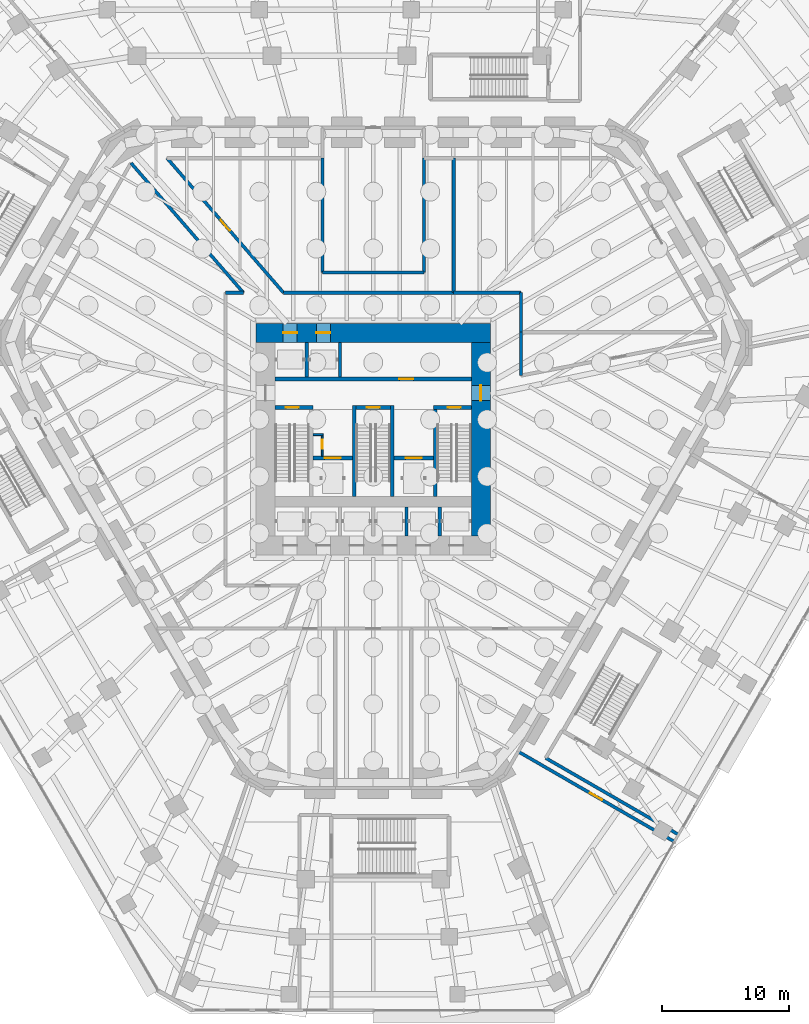
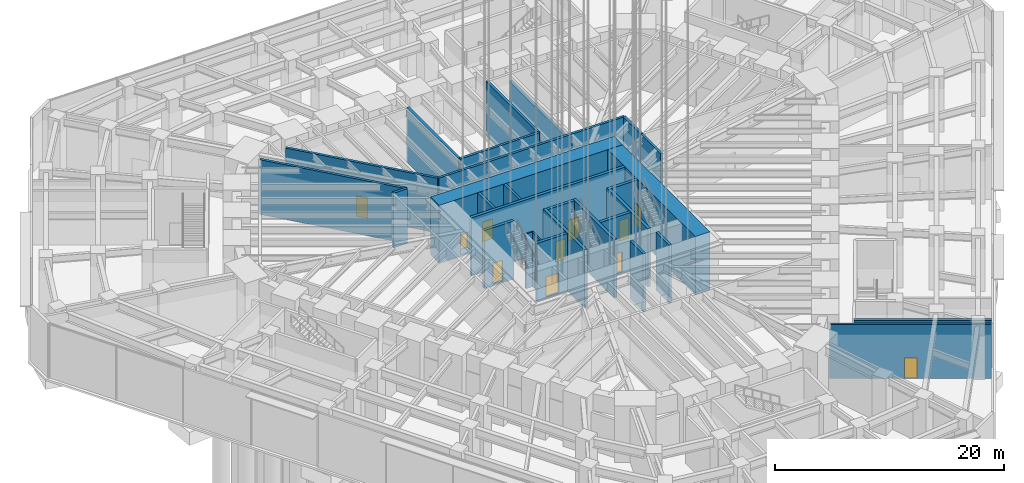
# One storey, part 20 of 34: 30 walls, 12 doors, 12 openings.
"""IFC4 building model written with IfcOpenShell, lengths in metres."""

from ifc_helpers import new_model, si_unit, direction, frame, frame_2d, origin, place, context, subcontext, project, spatial, rectangle, extrude, material, layer, layer_set, type_object, element, fill, save


model = new_model("IFC4")

# Units and contexts
model_context = context("Model", 3, precision=1e-05, world=origin(), true_north=direction((0.0, 1.0)))
body_context = subcontext(model_context, "Body", "Model", "MODEL_VIEW")
ifc_project = project(units=[si_unit("LENGTHUNIT", "METRE"), si_unit("AREAUNIT", "SQUARE_METRE"), si_unit("VOLUMEUNIT", "CUBIC_METRE"), si_unit("PLANEANGLEUNIT", "RADIAN"), si_unit("MASSUNIT", "GRAM", prefix="KILO")], contexts=[model_context])

# Site, building, storey
site_placement = place(None, origin())
site = spatial("IfcSite", under=ifc_project, at=site_placement, CompositionType="ELEMENT")
building_placement = place(site_placement, origin())
building = spatial("IfcBuilding", under=site, at=building_placement, Name="Sandreach Pilgrim Tower", CompositionType="ELEMENT")
storey_placement = place(building_placement, origin())
storey = spatial("IfcBuildingStorey", under=building, at=storey_placement, Name="L00", CompositionType="ELEMENT", Elevation=0.0)

# Walls
ifc_material_1 = material(Name="Concrete 10000 psi", Category="concrete")
ifc_layer_1 = layer(ifc_material_1, 0.300048828125)
ifc_layer_set_1 = layer_set([ifc_layer_1], Name="Core inner wall 300")
wall_type_1 = type_object("IfcWallType", Name="Core inner wall 300", PredefinedType="SHEAR", material=ifc_layer_set_1)
for number, where, z_axis, x_axis, name in (
    (1, (-1.5, -6.10009765625, -0.199951171875), (0.0, 0.0, 1.0), (0.0, 1.0, 0.0), "Core wall I1 L00"),
    (2, (1.5, -6.10009765625, -0.199951171875), (0.0, 0.0, 1.0), (0.0, 1.0, 0.0), "Core wall I2 L00"),
    (3, (4.89990234375, -6.10009765625, -0.199951171875), (0.0, 0.0, 1.0), (0.0, 1.0, 0.0), "Core wall I3 L00"),
):
    element("IfcWall", number, at=place(storey_placement, frame(where, z_axis=z_axis, x_axis=x_axis)), inside=storey, type_object=wall_type_1, Name=name, PredefinedType="SHEAR", context=body_context, shape_type="SweptSolid", body=[
        extrude(rectangle(XDim=7.2001953125, YDim=0.300048828125, at=frame_2d((3.60009765625, 0.0))), origin(), (0.0, 0.0, 1.0), 6.199951171875),
    ])

# Wall, opening, door
wall_1_placement = place(storey_placement, frame((-7.75, 0.949951171875, -0.199951171875), z_axis=(0.0, 0.0, 1.0), x_axis=(1.0, 0.0, 0.0)))
wall_1 = element("IfcWall", 4, at=wall_1_placement, inside=storey, type_object=wall_type_1, Name="Core wall SN1 L00", PredefinedType="SHEAR", context=body_context, shape_type="SweptSolid", body=[
    extrude(rectangle(XDim=3.0, YDim=0.300048828125, at=frame_2d((1.5, 0.0))), origin(), (0.0, 0.0, 1.0), 6.199951171875),
])
opening_1_placement = place(wall_1_placement, frame((0.85009765625, 0.0, 0.199951171875)))
opening_1 = element("IfcOpeningElement", 5, at=opening_1_placement, cuts=wall_1, Name="Opening D10S-ST1", PredefinedType="OPENING", context=body_context, shape_type="SweptSolid", body=[
    extrude(rectangle(XDim=1.0, YDim=2.199951171875, at=frame_2d((0.5, 1.10009765625))), frame((0.0, 0.14990234375, 0.0), z_axis=(0.0, -1.0, 0.0), x_axis=(1.0, 0.0, 0.0)), (0.0, 0.0, 1.0), 0.300048828125),
])
ifc_material_2 = material(Name="Steel door and frame", Category="steel")
door_type_1 = type_object("IfcDoorType", Name="Stair door", OperationType="SINGLE_SWING_LEFT", PredefinedType="DOOR", material=ifc_material_2)
door_1_placement = place(opening_1_placement, origin())
door_1 = element("IfcDoor", 6, at=door_1_placement, inside=storey, type_object=door_type_1, Name="Stair door ST1 L00", OperationType="SINGLE_SWING_LEFT", OverallHeight=2.199951171875, OverallWidth=1.0, PredefinedType="DOOR", context=body_context, shape_type="SweptSolid", body=[
    extrude(rectangle(XDim=1.0, YDim=2.199951171875, at=frame_2d((0.5, 1.10009765625))), frame((0.0, 0.02490234375, 0.0), z_axis=(0.0, -1.0, 0.0), x_axis=(1.0, 0.0, 0.0)), (0.0, 0.0, 1.0), 0.050048828125),
])
fill(opening_1, door_1)

wall_2_placement = place(storey_placement, frame((-1.35009765625, 0.949951171875, -0.199951171875), z_axis=(0.0, 0.0, 1.0), x_axis=(1.0, 0.0, 0.0)))
wall_2 = element("IfcWall", 7, at=wall_2_placement, inside=storey, type_object=wall_type_1, Name="Core wall SN3 L00", PredefinedType="SHEAR", context=body_context, shape_type="SweptSolid", body=[
    extrude(rectangle(XDim=2.7001953125, YDim=0.300048828125, at=frame_2d((1.35009765625, 0.0))), origin(), (0.0, 0.0, 1.0), 6.199951171875),
])
opening_2_placement = place(wall_2_placement, frame((0.85009765625, 0.0, 0.199951171875)))
opening_2 = element("IfcOpeningElement", 8, at=opening_2_placement, cuts=wall_2, Name="Opening D10S-ST3", PredefinedType="OPENING", context=body_context, shape_type="SweptSolid", body=[
    extrude(rectangle(XDim=1.0, YDim=2.199951171875, at=frame_2d((0.5, 1.10009765625))), frame((0.0, 0.14990234375, 0.0), z_axis=(0.0, -1.0, 0.0), x_axis=(1.0, 0.0, 0.0)), (0.0, 0.0, 1.0), 0.300048828125),
])
door_2_placement = place(opening_2_placement, origin())
door_2 = element("IfcDoor", 9, at=door_2_placement, inside=storey, type_object=door_type_1, Name="Stair door ST3 L00", OperationType="SINGLE_SWING_LEFT", OverallHeight=2.199951171875, OverallWidth=1.0, PredefinedType="DOOR", context=body_context, shape_type="SweptSolid", body=[
    extrude(rectangle(XDim=1.0, YDim=2.199951171875, at=frame_2d((0.5, 1.10009765625))), frame((0.0, 0.02490234375, 0.0), z_axis=(0.0, -1.0, 0.0), x_axis=(1.0, 0.0, 0.0)), (0.0, 0.0, 1.0), 0.050048828125),
])
fill(opening_2, door_2)

wall_3_placement = place(storey_placement, frame((4.75, 0.949951171875, -0.199951171875), z_axis=(0.0, 0.0, 1.0), x_axis=(1.0, 0.0, 0.0)))
wall_3 = element("IfcWall", 10, at=wall_3_placement, inside=storey, type_object=wall_type_1, Name="Core wall SN2 L00", PredefinedType="SHEAR", context=body_context, shape_type="SweptSolid", body=[
    extrude(rectangle(XDim=3.0, YDim=0.300048828125, at=frame_2d((1.5, 0.0))), origin(), (0.0, 0.0, 1.0), 6.199951171875),
])
opening_3_placement = place(wall_3_placement, frame((1.14990234375, 0.0, 0.199951171875)))
opening_3 = element("IfcOpeningElement", 11, at=opening_3_placement, cuts=wall_3, Name="Opening D10S-ST2", PredefinedType="OPENING", context=body_context, shape_type="SweptSolid", body=[
    extrude(rectangle(XDim=1.0, YDim=2.199951171875, at=frame_2d((0.5, 1.10009765625))), frame((0.0, 0.14990234375, 0.0), z_axis=(0.0, -1.0, 0.0), x_axis=(1.0, 0.0, 0.0)), (0.0, 0.0, 1.0), 0.300048828125),
])
door_3_placement = place(opening_3_placement, origin())
door_3 = element("IfcDoor", 12, at=door_3_placement, inside=storey, type_object=door_type_1, Name="Stair door ST2 L00", OperationType="SINGLE_SWING_RIGHT", OverallHeight=2.199951171875, OverallWidth=1.0, PredefinedType="DOOR", context=body_context, shape_type="SweptSolid", body=[
    extrude(rectangle(XDim=1.0, YDim=2.199951171875, at=frame_2d((0.5, 1.10009765625))), frame((0.0, 0.02490234375, 0.0), z_axis=(0.0, -1.0, 0.0), x_axis=(1.0, 0.0, 0.0)), (0.0, 0.0, 1.0), 0.050048828125),
])
fill(opening_3, door_3)

wall_4_placement = place(storey_placement, frame((-4.75, -3.050048828125, -0.199951171875), z_axis=(0.0, 0.0, 1.0), x_axis=(1.0, 0.0, 0.0)))
wall_4 = element("IfcWall", 13, at=wall_4_placement, inside=storey, type_object=wall_type_1, Name="Core wall FL1 L00", PredefinedType="SHEAR", context=body_context, shape_type="SweptSolid", body=[
    extrude(rectangle(XDim=3.10009765625, YDim=0.300048828125, at=frame_2d((1.550048828125, 0.0))), origin(), (0.0, 0.0, 1.0), 6.199951171875),
])
opening_4_placement = place(wall_4_placement, frame((0.89990234375, 0.0, 0.199951171875)))
opening_4 = element("IfcOpeningElement", 14, at=opening_4_placement, cuts=wall_4, Name="Opening LD13", PredefinedType="OPENING", context=body_context, shape_type="SweptSolid", body=[
    extrude(rectangle(XDim=1.300048828125, YDim=2.10009765625, at=frame_2d((0.64990234375, 1.050048828125))), frame((0.0, 0.14990234375, 0.0), z_axis=(0.0, -1.0, 0.0), x_axis=(1.0, 0.0, 0.0)), (0.0, 0.0, 1.0), 0.300048828125),
])
ifc_material_3 = material(Name="Steel door and frame", Category="steel")
door_type_2 = type_object("IfcDoorType", Name="Fire service lift landing door", OperationType="DOUBLE_DOOR_SLIDING", PredefinedType="DOOR", material=ifc_material_3)
door_4_placement = place(opening_4_placement, origin())
door_4 = element("IfcDoor", 15, at=door_4_placement, inside=storey, type_object=door_type_2, Name="Lift landing door FS1 L00", OperationType="DOUBLE_DOOR_SLIDING", OverallHeight=2.10009765625, OverallWidth=1.300048828125, PredefinedType="DOOR", context=body_context, shape_type="SweptSolid", body=[
    extrude(rectangle(XDim=1.300048828125, YDim=2.10009765625, at=frame_2d((0.64990234375, 1.050048828125))), frame((0.0, 0.02490234375, 0.0), z_axis=(0.0, -1.0, 0.0), x_axis=(1.0, 0.0, 0.0)), (0.0, 0.0, 1.0), 0.050048828125),
])
fill(opening_4, door_4)

wall_5_placement = place(storey_placement, frame((1.64990234375, -3.050048828125, -0.199951171875), z_axis=(0.0, 0.0, 1.0), x_axis=(1.0, 0.0, 0.0)))
wall_5 = element("IfcWall", 16, at=wall_5_placement, inside=storey, type_object=wall_type_1, Name="Core wall FL2 L00", PredefinedType="SHEAR", context=body_context, shape_type="SweptSolid", body=[
    extrude(rectangle(XDim=3.10009765625, YDim=0.300048828125, at=frame_2d((1.550048828125, 0.0))), origin(), (0.0, 0.0, 1.0), 6.199951171875),
])
opening_5_placement = place(wall_5_placement, frame((0.89990234375, 0.0, 0.199951171875)))
opening_5 = element("IfcOpeningElement", 17, at=opening_5_placement, cuts=wall_5, Name="Opening LD13", PredefinedType="OPENING", context=body_context, shape_type="SweptSolid", body=[
    extrude(rectangle(XDim=1.300048828125, YDim=2.10009765625, at=frame_2d((0.64990234375, 1.050048828125))), frame((0.0, 0.14990234375, 0.0), z_axis=(0.0, -1.0, 0.0), x_axis=(1.0, 0.0, 0.0)), (0.0, 0.0, 1.0), 0.300048828125),
])
door_5_placement = place(opening_5_placement, origin())
door_5 = element("IfcDoor", 18, at=door_5_placement, inside=storey, type_object=door_type_2, Name="Lift landing door FS2 L00", OperationType="DOUBLE_DOOR_SLIDING", OverallHeight=2.10009765625, OverallWidth=1.300048828125, PredefinedType="DOOR", context=body_context, shape_type="SweptSolid", body=[
    extrude(rectangle(XDim=1.300048828125, YDim=2.10009765625, at=frame_2d((0.64990234375, 1.050048828125))), frame((0.0, 0.02490234375, 0.0), z_axis=(0.0, -1.0, 0.0), x_axis=(1.0, 0.0, 0.0)), (0.0, 0.0, 1.0), 0.050048828125),
])
fill(opening_5, door_5)

wall_6_placement = place(storey_placement, frame((-7.75, 3.199951171875, -0.199951171875), z_axis=(0.0, 0.0, 1.0), x_axis=(1.0, 0.0, 0.0)))
wall_6 = element("IfcWall", 19, at=wall_6_placement, inside=storey, type_object=wall_type_1, Name="Core wall PN L00", PredefinedType="SHEAR", context=body_context, shape_type="SweptSolid", body=[
    extrude(rectangle(XDim=15.5, YDim=0.300048828125, at=frame_2d((7.75, 0.0))), origin(), (0.0, 0.0, 1.0), 6.199951171875),
])
opening_6_placement = place(wall_6_placement, frame((9.824951171875, 0.0, 0.199951171875)))
opening_6 = element("IfcOpeningElement", 20, at=opening_6_placement, cuts=wall_6, Name="Opening D11L", PredefinedType="OPENING", context=body_context, shape_type="SweptSolid", body=[
    extrude(rectangle(XDim=1.10009765625, YDim=2.199951171875, at=frame_2d((0.550048828125, 1.10009765625))), frame((0.0, 0.14990234375, 0.0), z_axis=(0.0, -1.0, 0.0), x_axis=(1.0, 0.0, 0.0)), (0.0, 0.0, 1.0), 0.300048828125),
])
ifc_material_4 = material(Name="Steel door and frame, smoke seals", Category="steel")
door_type_3 = type_object("IfcDoorType", Name="Core room door", OperationType="SINGLE_SWING_LEFT", PredefinedType="DOOR", material=ifc_material_4)
door_6_placement = place(opening_6_placement, origin())
door_6 = element("IfcDoor", 21, at=door_6_placement, inside=storey, type_object=door_type_3, Name="Door back of house store 00K1", OperationType="SINGLE_SWING_RIGHT", OverallHeight=2.199951171875, OverallWidth=1.10009765625, PredefinedType="DOOR", context=body_context, shape_type="SweptSolid", body=[
    extrude(rectangle(XDim=1.10009765625, YDim=2.199951171875, at=frame_2d((0.550048828125, 1.10009765625))), frame((0.0, 0.02490234375, 0.0), z_axis=(0.0, -1.0, 0.0), x_axis=(1.0, 0.0, 0.0)), (0.0, 0.0, 1.0), 0.050048828125),
])
fill(opening_6, door_6)

# Wall, openings, doors
ifc_material_5 = material(Name="Concrete 10000 psi", Category="concrete")
ifc_layer_2 = layer(ifc_material_5, 1.5)
ifc_layer_set_2 = layer_set([ifc_layer_2], Name="Core wall 1500")
wall_type_2 = type_object("IfcWallType", Name="Core wall 1500", PredefinedType="SHEAR", material=ifc_layer_set_2)
wall_7_placement = place(storey_placement, frame((-9.25, 6.85009765625, -0.199951171875), z_axis=(0.0, 0.0, 1.0), x_axis=(1.0, 0.0, 0.0)))
wall_7 = element("IfcWall", 22, at=wall_7_placement, inside=storey, type_object=wall_type_2, Name="Core wall N L00", PredefinedType="SHEAR", context=body_context, shape_type="SweptSolid", body=[
    extrude(rectangle(XDim=18.5, YDim=1.5, at=frame_2d((9.25, 0.0))), origin(), (0.0, 0.0, 1.0), 6.199951171875),
])
opening_7_placement = place(wall_7_placement, frame((2.137451171875, 0.0, 0.199951171875)))
opening_7 = element("IfcOpeningElement", 23, at=opening_7_placement, cuts=wall_7, Name="Opening LD11", PredefinedType="OPENING", context=body_context, shape_type="SweptSolid", body=[
    extrude(rectangle(XDim=1.10009765625, YDim=2.10009765625, at=frame_2d((0.550048828125, 1.050048828125))), frame((0.0, 0.75, 0.0), z_axis=(0.0, -1.0, 0.0), x_axis=(1.0, 0.0, 0.0)), (0.0, 0.0, 1.0), 1.5),
])
opening_8_placement = place(wall_7_placement, frame((4.762451171875, 0.0, 0.199951171875)))
opening_8 = element("IfcOpeningElement", 24, at=opening_8_placement, cuts=wall_7, Name="Opening LD11", PredefinedType="OPENING", context=body_context, shape_type="SweptSolid", body=[
    extrude(rectangle(XDim=1.10009765625, YDim=2.10009765625, at=frame_2d((0.550048828125, 1.050048828125))), frame((0.0, 0.75, 0.0), z_axis=(0.0, -1.0, 0.0), x_axis=(1.0, 0.0, 0.0)), (0.0, 0.0, 1.0), 1.5),
])
ifc_material_6 = material(Name="Steel door and frame", Category="steel")
door_type_4 = type_object("IfcDoorType", Name="Lift landing door", OperationType="DOUBLE_DOOR_SLIDING", PredefinedType="DOOR", material=ifc_material_6)
door_7_placement = place(opening_7_placement, origin())
door_7 = element("IfcDoor", 25, at=door_7_placement, inside=storey, type_object=door_type_4, Name="Lift landing door SH1 L00", OperationType="DOUBLE_DOOR_SLIDING", OverallHeight=2.10009765625, OverallWidth=1.10009765625, PredefinedType="DOOR", context=body_context, shape_type="SweptSolid", body=[
    extrude(rectangle(XDim=1.10009765625, YDim=2.10009765625, at=frame_2d((0.550048828125, 1.050048828125))), frame((0.0, 0.02490234375, 0.0), z_axis=(0.0, -1.0, 0.0), x_axis=(1.0, 0.0, 0.0)), (0.0, 0.0, 1.0), 0.050048828125),
])
fill(opening_7, door_7)
door_8_placement = place(opening_8_placement, origin())
door_8 = element("IfcDoor", 26, at=door_8_placement, inside=storey, type_object=door_type_4, Name="Lift landing door SH2 L00", OperationType="DOUBLE_DOOR_SLIDING", OverallHeight=2.10009765625, OverallWidth=1.10009765625, PredefinedType="DOOR", context=body_context, shape_type="SweptSolid", body=[
    extrude(rectangle(XDim=1.10009765625, YDim=2.10009765625, at=frame_2d((0.550048828125, 1.050048828125))), frame((0.0, 0.02490234375, 0.0), z_axis=(0.0, -1.0, 0.0), x_axis=(1.0, 0.0, 0.0)), (0.0, 0.0, 1.0), 0.050048828125),
])
fill(opening_8, door_8)

# Wall, opening, door
wall_8_placement = place(storey_placement, frame((8.5, -9.199951171875, -0.199951171875), z_axis=(0.0, 0.0, 1.0), x_axis=(0.0, 1.0, 0.0)))
wall_8 = element("IfcWall", 27, at=wall_8_placement, inside=storey, type_object=wall_type_2, Name="Core wall E L00", PredefinedType="SHEAR", context=body_context, shape_type="SweptSolid", body=[
    extrude(rectangle(XDim=15.300048828125, YDim=1.5, at=frame_2d((7.64990234375, 0.0))), origin(), (0.0, 0.0, 1.0), 6.199951171875),
])
opening_9_placement = place(wall_8_placement, frame((10.699951171875, 0.0, 0.199951171875)))
opening_9 = element("IfcOpeningElement", 28, at=opening_9_placement, cuts=wall_8, Name="Opening D12F-E", PredefinedType="OPENING", context=body_context, shape_type="SweptSolid", body=[
    extrude(rectangle(XDim=1.199951171875, YDim=2.199951171875, at=frame_2d((0.60009765625, 1.10009765625))), frame((0.0, 0.75, 0.0), z_axis=(0.0, -1.0, 0.0), x_axis=(1.0, 0.0, 0.0)), (0.0, 0.0, 1.0), 1.5),
])
ifc_material_7 = material(Name="Steel door and frame", Category="steel")
door_type_5 = type_object("IfcDoorType", Name="Fire lobby door", OperationType="SINGLE_SWING_LEFT", PredefinedType="DOOR", material=ifc_material_7)
door_9_placement = place(opening_9_placement, origin())
door_9 = element("IfcDoor", 29, at=door_9_placement, inside=storey, type_object=door_type_5, Name="Fire service lobby door E L00", OperationType="SINGLE_SWING_RIGHT", OverallHeight=2.199951171875, OverallWidth=1.199951171875, PredefinedType="DOOR", context=body_context, shape_type="SweptSolid", body=[
    extrude(rectangle(XDim=1.199951171875, YDim=2.199951171875, at=frame_2d((0.60009765625, 1.10009765625))), frame((0.0, 0.02490234375, 0.0), z_axis=(0.0, -1.0, 0.0), x_axis=(1.0, 0.0, 0.0)), (0.0, 0.0, 1.0), 0.050048828125),
])
fill(opening_9, door_9)

# Walls
ifc_material_8 = material(Name="Acoustic gypsum board wall, double frame", Category="gypsum")
ifc_layer_3 = layer(ifc_material_8, 0.25)
ifc_layer_set_3 = layer_set([ifc_layer_3], Name="Hall partition 250")
wall_type_3 = type_object("IfcWallType", Name="Hall partition 250", PredefinedType="PARTITIONING", material=ifc_layer_set_3)
wall_9_placement = place(storey_placement, frame((-19.139892578125, 20.27001953125, 0.0), z_axis=(0.0, 0.0, 1.0), x_axis=(0.654785227324, -0.755814994611, 0.0)))
element("IfcWall", 30, at=wall_9_placement, inside=storey, type_object=wall_type_3, Name="Hall partition L00-020", PredefinedType="PARTITIONING", context=body_context, shape_type="SweptSolid", body=[
    extrude(rectangle(XDim=13.5615234375, YDim=0.25, at=frame_2d((6.78076171875, 0.0))), origin(), (0.0, 0.0, 1.0), 5.840087890625),
])
wall_10_placement = place(storey_placement, frame((-10.260009765625, 10.02001953125, 0.0), z_axis=(0.0, 0.0, 1.0), x_axis=(-1.0, 0.0, 0.0)))
element("IfcWall", 31, at=wall_10_placement, inside=storey, type_object=wall_type_3, Name="Hall partition L00-031", PredefinedType="PARTITIONING", context=body_context, shape_type="SweptSolid", body=[
    extrude(rectangle(XDim=1.409912109375, YDim=0.25, at=frame_2d((0.705078125, 0.0))), origin(), (0.0, 0.0, 1.0), 5.840087890625),
])

# Wall, opening, door
wall_11_placement = place(storey_placement, frame((-7.090087890625, 10.02001953125, 0.0), z_axis=(0.0, 0.0, 1.0), x_axis=(-0.654417990957, 0.756132986393, 0.0)))
wall_11 = element("IfcWall", 32, at=wall_11_placement, inside=storey, type_object=wall_type_3, Name="Hall partition L00-034", PredefinedType="PARTITIONING", context=body_context, shape_type="SweptSolid", body=[
    extrude(rectangle(XDim=14.05810546875, YDim=0.25, at=frame_2d((7.029052734375, 0.0))), origin(), (0.0, 0.0, 1.0), 5.840087890625),
])
opening_10_placement = place(wall_11_placement, frame((6.479248046875, 0.0, 0.0)))
opening_10 = element("IfcOpeningElement", 33, at=opening_10_placement, cuts=wall_11, Name="Opening D11H-N5", PredefinedType="OPENING", context=body_context, shape_type="SweptSolid", body=[
    extrude(rectangle(XDim=1.10009765625, YDim=2.199951171875, at=frame_2d((0.550048828125, 1.10009765625))), frame((0.0, 0.125, 0.0), z_axis=(0.0, -1.0, 0.0), x_axis=(1.0, 0.0, 0.0)), (0.0, 0.0, 1.0), 0.25),
])
ifc_material_9 = material(Name="Steel door and frame", Category="steel")
door_type_6 = type_object("IfcDoorType", Name="Back of house door", OperationType="SINGLE_SWING_LEFT", PredefinedType="DOOR", material=ifc_material_9)
door_10_placement = place(opening_10_placement, origin())
door_10 = element("IfcDoor", 34, at=door_10_placement, inside=storey, type_object=door_type_6, Name="Door 00N5", OperationType="SINGLE_SWING_LEFT", OverallHeight=2.199951171875, OverallWidth=1.10009765625, PredefinedType="DOOR", context=body_context, shape_type="SweptSolid", body=[
    extrude(rectangle(XDim=1.10009765625, YDim=2.199951171875, at=frame_2d((0.550048828125, 1.10009765625))), frame((0.0, 0.02490234375, 0.0), z_axis=(0.0, -1.0, 0.0), x_axis=(1.0, 0.0, 0.0)), (0.0, 0.0, 1.0), 0.050048828125),
])
fill(opening_10, door_10)

# Walls
wall_12_placement = place(storey_placement, frame((-4.0, 11.6201171875, 0.0), z_axis=(0.0, 0.0, 1.0), x_axis=(0.0, 1.0, 0.0)))
element("IfcWall", 35, at=wall_12_placement, inside=storey, type_object=wall_type_3, Name="Hall partition L00-038", PredefinedType="PARTITIONING", context=body_context, shape_type="SweptSolid", body=[
    extrude(rectangle(XDim=9.02978515625, YDim=0.25, at=frame_2d((4.514892578125, 0.0))), origin(), (0.0, 0.0, 1.0), 5.840087890625),
])
wall_13_placement = place(storey_placement, frame((4.0, 11.6201171875, 0.0), z_axis=(0.0, 0.0, 1.0), x_axis=(-1.0, 0.0, 0.0)))
element("IfcWall", 36, at=wall_13_placement, inside=storey, type_object=wall_type_3, Name="Hall partition L00-049", PredefinedType="PARTITIONING", context=body_context, shape_type="SweptSolid", body=[
    extrude(rectangle(XDim=8.0, YDim=0.25, at=frame_2d((4.0, 0.0))), origin(), (0.0, 0.0, 1.0), 5.840087890625),
])
wall_14_placement = place(storey_placement, frame((4.0, 20.64990234375, 0.0), z_axis=(0.0, 0.0, 1.0), x_axis=(0.0, -1.0, 0.0)))
element("IfcWall", 37, at=wall_14_placement, inside=storey, type_object=wall_type_3, Name="Hall partition L00-050", PredefinedType="PARTITIONING", context=body_context, shape_type="SweptSolid", body=[
    extrude(rectangle(XDim=9.02978515625, YDim=0.25, at=frame_2d((4.514892578125, 0.0))), origin(), (0.0, 0.0, 1.0), 5.840087890625),
])
wall_15_placement = place(storey_placement, frame((6.360107421875, 10.02001953125, 0.0), z_axis=(0.0, 0.0, 1.0), x_axis=(-1.0, 0.0, 0.0)))
element("IfcWall", 38, at=wall_15_placement, inside=storey, type_object=wall_type_3, Name="Hall partition L00-054", PredefinedType="PARTITIONING", context=body_context, shape_type="SweptSolid", body=[
    extrude(rectangle(XDim=13.4501953125, YDim=0.25, at=frame_2d((6.72509765625, 0.0))), origin(), (0.0, 0.0, 1.0), 5.840087890625),
])
wall_16_placement = place(storey_placement, frame((6.360107421875, 10.02001953125, 0.0), z_axis=(0.0, 0.0, 1.0), x_axis=(0.0, 1.0, 0.0)))
element("IfcWall", 39, at=wall_16_placement, inside=storey, type_object=wall_type_3, Name="Hall partition L00-055", PredefinedType="PARTITIONING", context=body_context, shape_type="SweptSolid", body=[
    extrude(rectangle(XDim=10.6298828125, YDim=0.25, at=frame_2d((5.31494140625, 0.0))), origin(), (0.0, 0.0, 1.0), 5.077880859375),
])
wall_17_placement = place(storey_placement, frame((11.669921875, 3.469970703125, 0.0), z_axis=(0.0, 0.0, 1.0), x_axis=(0.0, 1.0, 0.0)))
element("IfcWall", 40, at=wall_17_placement, inside=storey, type_object=wall_type_3, Name="Hall partition L00-062", PredefinedType="PARTITIONING", context=body_context, shape_type="SweptSolid", body=[
    extrude(rectangle(XDim=3.429931640625, YDim=0.25, at=frame_2d((1.71484375, 0.0))), origin(), (0.0, 0.0, 1.0), 5.840087890625),
])
wall_18_placement = place(storey_placement, frame((11.669921875, 6.89990234375, 0.0), z_axis=(0.0, 0.0, 1.0), x_axis=(0.0, 1.0, 0.0)))
element("IfcWall", 41, at=wall_18_placement, inside=storey, type_object=wall_type_3, Name="Hall partition L00-063", PredefinedType="PARTITIONING", context=body_context, shape_type="SweptSolid", body=[
    extrude(rectangle(XDim=3.1201171875, YDim=0.25, at=frame_2d((1.56005859375, 0.0))), origin(), (0.0, 0.0, 1.0), 5.840087890625),
])
wall_19_placement = place(storey_placement, frame((11.669921875, 10.02001953125, 0.0), z_axis=(0.0, 0.0, 1.0), x_axis=(-1.0, 0.0, 0.0)))
element("IfcWall", 42, at=wall_19_placement, inside=storey, type_object=wall_type_3, Name="Hall partition L00-064", PredefinedType="PARTITIONING", context=body_context, shape_type="SweptSolid", body=[
    extrude(rectangle(XDim=5.309814453125, YDim=0.25, at=frame_2d((2.65478515625, 0.0))), origin(), (0.0, 0.0, 1.0), 5.840087890625),
])
wall_20_placement = place(storey_placement, frame((13.6298828125, -26.75, 0.0), z_axis=(0.0, 0.0, 1.0), x_axis=(0.866259937365, -0.49959355572, 0.0)))
element("IfcWall", 43, at=wall_20_placement, inside=storey, type_object=wall_type_3, Name="Hall partition L00-066", PredefinedType="PARTITIONING", context=body_context, shape_type="SweptSolid", body=[
    extrude(rectangle(XDim=12.07958984375, YDim=0.25, at=frame_2d((6.039794921875, 0.0))), origin(), (0.0, 0.0, 1.0), 5.75),
])

# Wall, opening, door
wall_21_placement = place(storey_placement, frame((23.763916015625, -33.344970703125, 0.0), z_axis=(0.0, 0.0, 1.0), x_axis=(-0.865986126124, 0.500068024733, 0.0)))
wall_21 = element("IfcWall", 44, at=wall_21_placement, inside=storey, type_object=wall_type_3, Name="Hall partition L00-077", PredefinedType="PARTITIONING", context=body_context, shape_type="SweptSolid", body=[
    extrude(rectangle(XDim=14.2080078125, YDim=0.25, at=frame_2d((7.10400390625, 0.0))), origin(), (0.0, 0.0, 1.0), 5.75),
])
opening_11_placement = place(wall_21_placement, frame((6.553955078125, 0.0, 0.0)))
opening_11 = element("IfcOpeningElement", 45, at=opening_11_placement, cuts=wall_21, Name="Opening D11H-N3", PredefinedType="OPENING", context=body_context, shape_type="SweptSolid", body=[
    extrude(rectangle(XDim=1.10009765625, YDim=2.199951171875, at=frame_2d((0.550048828125, 1.10009765625))), frame((0.0, 0.125, 0.0), z_axis=(0.0, -1.0, 0.0), x_axis=(1.0, 0.0, 0.0)), (0.0, 0.0, 1.0), 0.25),
])
door_11_placement = place(opening_11_placement, origin())
door_11 = element("IfcDoor", 46, at=door_11_placement, inside=storey, type_object=door_type_6, Name="Door 00N3", OperationType="SINGLE_SWING_LEFT", OverallHeight=2.199951171875, OverallWidth=1.10009765625, PredefinedType="DOOR", context=body_context, shape_type="SweptSolid", body=[
    extrude(rectangle(XDim=1.10009765625, YDim=2.199951171875, at=frame_2d((0.550048828125, 1.10009765625))), frame((0.0, 0.02490234375, 0.0), z_axis=(0.0, -1.0, 0.0), x_axis=(1.0, 0.0, 0.0)), (0.0, 0.0, 1.0), 0.050048828125),
])
fill(opening_11, door_11)

ifc_material_10 = material(Name="Gypsum shaft wall on steel studs, shaft liner board", Category="steel")
ifc_layer_4 = layer(ifc_material_10, 0.14990234375)
ifc_layer_set_4 = layer_set([ifc_layer_4], Name="Riser shaft wall 150")
wall_type_4 = type_object("IfcWallType", Name="Riser shaft wall 150", PredefinedType="PARTITIONING", material=ifc_layer_set_4)
wall_22_placement = place(storey_placement, frame((-4.02490234375, -2.89990234375, 0.0), z_axis=(0.0, 0.0, 1.0), x_axis=(0.0, 1.0, 0.0)))
wall_22 = element("IfcWall", 47, at=wall_22_placement, inside=storey, type_object=wall_type_4, Name="Riser partition L00 side", PredefinedType="PARTITIONING", context=body_context, shape_type="SweptSolid", body=[
    extrude(rectangle(XDim=1.77490234375, YDim=0.14990234375, at=frame_2d((0.887451171875, 0.0))), origin(), (0.0, 0.0, 1.0), 5.840087890625),
])
opening_12_placement = place(wall_22_placement, frame((0.60009765625, 0.0, 0.0)))
opening_12 = element("IfcOpeningElement", 48, at=opening_12_placement, cuts=wall_22, Name="Opening D07R", PredefinedType="OPENING", context=body_context, shape_type="SweptSolid", body=[
    extrude(rectangle(XDim=0.699951171875, YDim=2.10009765625, at=frame_2d((0.35009765625, 1.050048828125))), frame((0.0, 0.074951171875, 0.0), z_axis=(0.0, -1.0, 0.0), x_axis=(1.0, 0.0, 0.0)), (0.0, 0.0, 1.0), 0.14990234375),
])
ifc_material_11 = material(Name="Steel door and frame, smoke seals", Category="steel")
door_type_7 = type_object("IfcDoorType", Name="Riser access door", OperationType="SINGLE_SWING_RIGHT", PredefinedType="DOOR", material=ifc_material_11)
door_12_placement = place(opening_12_placement, origin())
door_12 = element("IfcDoor", 49, at=door_12_placement, inside=storey, type_object=door_type_7, Name="Door riser 00ER", OperationType="SINGLE_SWING_RIGHT", OverallHeight=2.10009765625, OverallWidth=0.699951171875, PredefinedType="DOOR", context=body_context, shape_type="SweptSolid", body=[
    extrude(rectangle(XDim=0.699951171875, YDim=2.10009765625, at=frame_2d((0.35009765625, 1.050048828125))), frame((0.0, 0.02490234375, 0.0), z_axis=(0.0, -1.0, 0.0), x_axis=(1.0, 0.0, 0.0)), (0.0, 0.0, 1.0), 0.050048828125),
])
fill(opening_12, door_12)

# Walls
wall_23_placement = place(storey_placement, frame((-4.75, -1.199951171875, 0.0), z_axis=(0.0, 0.0, 1.0), x_axis=(1.0, 0.0, 0.0)))
element("IfcWall", 50, at=wall_23_placement, inside=storey, type_object=wall_type_4, Name="Riser partition L00 front", PredefinedType="PARTITIONING", context=body_context, shape_type="SweptSolid", body=[
    extrude(rectangle(XDim=0.800048828125, YDim=0.14990234375, at=frame_2d((0.39990234375, 0.0))), origin(), (0.0, 0.0, 1.0), 5.840087890625),
])
ifc_material_12 = material(Name="Gypsum shaft wall on steel studs, two layers of shaft liner board", Category="steel")
ifc_layer_5 = layer(ifc_material_12, 0.25)
ifc_layer_set_5 = layer_set([ifc_layer_5], Name="Shaft partition 250")
wall_type_5 = type_object("IfcWallType", Name="Shaft partition 250", PredefinedType="PARTITIONING", material=ifc_layer_set_5)
for number, where, z_axis, x_axis, name in (
    (51, (-5.25, 3.35009765625, -0.199951171875), (0.0, 0.0, 1.0), (0.0, 1.0, 0.0), "Shaft partition NS0 L00"),
    (52, (-2.625, 3.35009765625, -0.199951171875), (0.0, 0.0, 1.0), (0.0, 1.0, 0.0), "Shaft partition NS1 L00"),
):
    element("IfcWall", number, at=place(storey_placement, frame(where, z_axis=z_axis, x_axis=x_axis)), inside=storey, type_object=wall_type_5, Name=name, PredefinedType="PARTITIONING", context=body_context, shape_type="SweptSolid", body=[
        extrude(rectangle(XDim=2.75, YDim=0.25, at=frame_2d((1.375, 0.0))), origin(), (0.0, 0.0, 1.0), 6.199951171875),
    ])
for number, where, z_axis, x_axis, name in (
    (53, (2.625, -9.199951171875, -0.199951171875), (0.0, 0.0, 1.0), (0.0, 1.0, 0.0), "Shaft partition XS3 L00"),
    (54, (5.25, -9.199951171875, -0.199951171875), (0.0, 0.0, 1.0), (0.0, 1.0, 0.0), "Shaft partition XS4 L00"),
):
    element("IfcWall", number, at=place(storey_placement, frame(where, z_axis=z_axis, x_axis=x_axis)), inside=storey, type_object=wall_type_5, Name=name, PredefinedType="PARTITIONING", context=body_context, shape_type="SweptSolid", body=[
        extrude(rectangle(XDim=2.300048828125, YDim=0.25, at=frame_2d((1.14990234375, 0.0))), origin(), (0.0, 0.0, 1.0), 6.199951171875),
    ])

save(model, "model.ifc")
